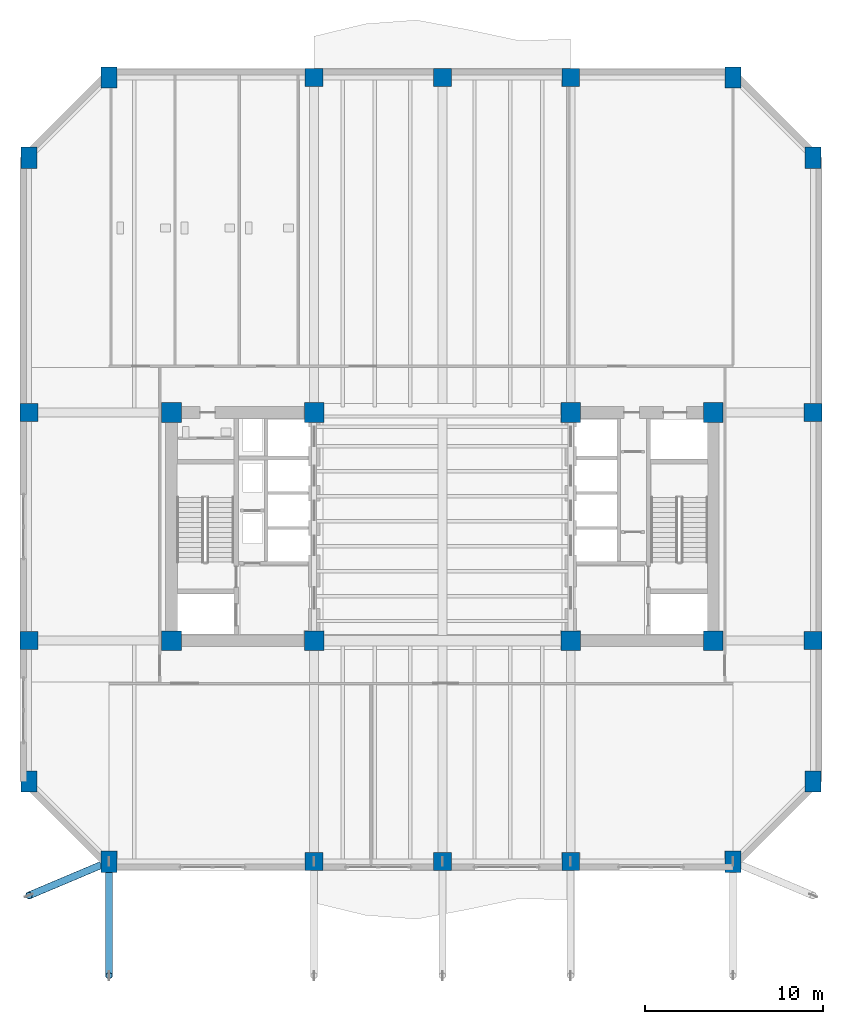
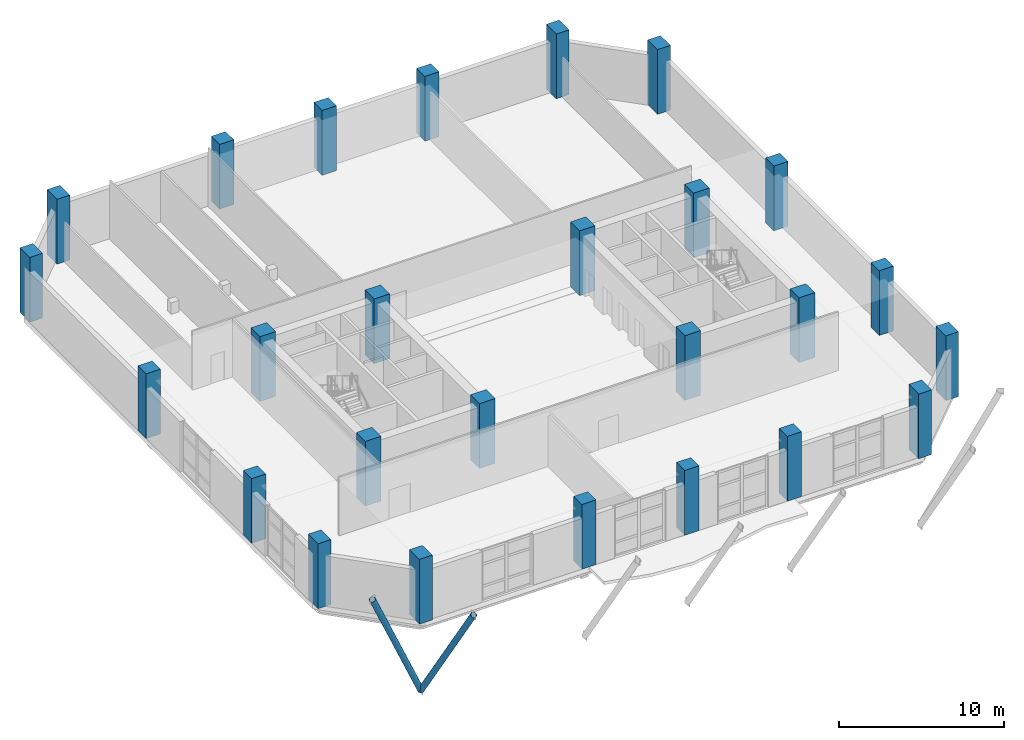
# One storey, part 1 of 16: 26 columns, 2 members.
"""IFC4 building model written with IfcOpenShell, lengths in metres."""

from ifc_helpers import new_model, si_unit, direction, frame, origin, origin_2d, place, context, subcontext, project, spatial, rectangle, hollow_circle, extrude, material, material_profile, profile_set, type_object, element, save


model = new_model("IFC4")

# Units and contexts
model_context = context("Model", 3, precision=1e-05, world=origin(), true_north=direction((0.0, 1.0)))
body_context = subcontext(model_context, "Body", "Model", "MODEL_VIEW")
ifc_project = project(units=[si_unit("LENGTHUNIT", "METRE"), si_unit("AREAUNIT", "SQUARE_METRE"), si_unit("VOLUMEUNIT", "CUBIC_METRE"), si_unit("PLANEANGLEUNIT", "RADIAN"), si_unit("MASSUNIT", "GRAM", prefix="KILO")], contexts=[model_context])

# Site, building, storey
site_placement = place(None, origin())
site = spatial("IfcSite", under=ifc_project, at=site_placement, CompositionType="ELEMENT")
building_placement = place(site_placement, origin())
building = spatial("IfcBuilding", under=site, at=building_placement, Name="Kranthara Brick Stack", CompositionType="ELEMENT")
storey_placement = place(building_placement, frame((0.0, 0.0, 115.5)))
storey = spatial("IfcBuildingStorey", under=building, at=storey_placement, Name="L28", CompositionType="ELEMENT", Elevation=115.5)

# Columns
ifc_material_1 = material(Name="Concrete C70/85", Category="concrete")
ifc_material_profile_1 = material_profile(ifc_material_1, rectangle(XDim=0.89990234375, YDim=1.199951171875, at=origin_2d()), Name="RC 900x1200")
ifc_profile_set_1 = profile_set([ifc_material_profile_1], Name="Concrete C70/85")
column_type_1 = type_object("IfcColumnType", Name="COL-CHAM-900x1200", PredefinedType="COLUMN", material=ifc_profile_set_1)
for number, where, z_axis, x_axis, name in (
    (1, (9.300048828125, 8.39990234375, 0.0), (0.0, 0.0, 1.0), (1.0, 0.0, 0.0), "L28 Column 09"),
    (2, (9.300048828125, 52.39990234375, 0.0), (0.0, 0.0, 1.0), (1.0, 0.0, 0.0), "L28 Column 10"),
    (3, (44.300048828125, 8.39990234375, 0.0), (0.0, 0.0, 1.0), (1.0, 0.0, 0.0), "L28 Column 17"),
    (4, (44.300048828125, 52.39990234375, 0.0), (0.0, 0.0, 1.0), (1.0, 0.0, 0.0), "L28 Column 18"),
    (5, (4.800048828125, 12.89990234375, 0.0), (0.0, 0.0, 1.0), (1.0, 0.0, 0.0), "L28 Column 19"),
    (6, (48.800048828125, 12.89990234375, 0.0), (0.0, 0.0, 1.0), (1.0, 0.0, 0.0), "L28 Column 20"),
    (7, (4.800048828125, 47.89990234375, 0.0), (0.0, 0.0, 1.0), (1.0, 0.0, 0.0), "L28 Column 25"),
    (8, (48.800048828125, 47.89990234375, 0.0), (0.0, 0.0, 1.0), (1.0, 0.0, 0.0), "L28 Column 26"),
):
    element("IfcColumn", number, at=place(storey_placement, frame(where, z_axis=z_axis, x_axis=x_axis)), inside=storey, type_object=column_type_1, Name=name, PredefinedType="COLUMN", context=body_context, shape_type="SweptSolid", body=[
        extrude(rectangle(XDim=0.89990234375, YDim=1.199951171875, at=origin_2d()), origin(), (0.0, 0.0, 1.0), 4.800048828125),
    ])
ifc_material_2 = material(Name="Concrete C70/85", Category="concrete")
ifc_material_profile_2 = material_profile(ifc_material_2, rectangle(XDim=1.10009765625, YDim=1.10009765625, at=origin_2d()), Name="RC 1100x1100")
ifc_profile_set_2 = profile_set([ifc_material_profile_2], Name="Concrete C70/85")
column_type_2 = type_object("IfcColumnType", Name="COL-CORE-1100", PredefinedType="COLUMN", material=ifc_profile_set_2)
for number, where, z_axis, x_axis, name in (
    (9, (12.800048828125, 20.800048828125, 0.0), (0.0, 0.0, 1.0), (1.0, 0.0, 0.0), "L28 Column 01"),
    (10, (20.800048828125, 20.800048828125, 0.0), (0.0, 0.0, 1.0), (1.0, 0.0, 0.0), "L28 Column 02"),
    (11, (12.800048828125, 33.60009765625, 0.0), (0.0, 0.0, 1.0), (1.0, 0.0, 0.0), "L28 Column 03"),
    (12, (20.800048828125, 33.60009765625, 0.0), (0.0, 0.0, 1.0), (1.0, 0.0, 0.0), "L28 Column 04"),
    (13, (35.199951171875, 20.800048828125, 0.0), (0.0, 0.0, 1.0), (1.0, 0.0, 0.0), "L28 Column 05"),
    (14, (43.199951171875, 20.800048828125, 0.0), (0.0, 0.0, 1.0), (1.0, 0.0, 0.0), "L28 Column 06"),
    (15, (35.199951171875, 33.60009765625, 0.0), (0.0, 0.0, 1.0), (1.0, 0.0, 0.0), "L28 Column 07"),
    (16, (43.199951171875, 33.60009765625, 0.0), (0.0, 0.0, 1.0), (1.0, 0.0, 0.0), "L28 Column 08"),
):
    element("IfcColumn", number, at=place(storey_placement, frame(where, z_axis=z_axis, x_axis=x_axis)), inside=storey, type_object=column_type_2, Name=name, PredefinedType="COLUMN", context=body_context, shape_type="SweptSolid", body=[
        extrude(rectangle(XDim=1.10009765625, YDim=1.10009765625, at=origin_2d()), origin(), (0.0, 0.0, 1.0), 4.800048828125),
    ])
ifc_material_3 = material(Name="Concrete C60/75", Category="concrete")
ifc_material_profile_3 = material_profile(ifc_material_3, rectangle(XDim=1.0, YDim=1.0, at=origin_2d()), Name="RC 1000x1000")
ifc_profile_set_3 = profile_set([ifc_material_profile_3], Name="Concrete C60/75")
column_type_3 = type_object("IfcColumnType", Name="COL-PER-1000", PredefinedType="COLUMN", material=ifc_profile_set_3)
for number, where, z_axis, x_axis, name in (
    (17, (20.800048828125, 8.39990234375, 0.0), (0.0, 0.0, 1.0), (1.0, 0.0, 0.0), "L28 Column 11"),
    (18, (20.800048828125, 52.39990234375, 0.0), (0.0, 0.0, 1.0), (1.0, 0.0, 0.0), "L28 Column 12"),
    (19, (28.0, 8.39990234375, 0.0), (0.0, 0.0, 1.0), (1.0, 0.0, 0.0), "L28 Column 13"),
    (20, (28.0, 52.39990234375, 0.0), (0.0, 0.0, 1.0), (1.0, 0.0, 0.0), "L28 Column 14"),
    (21, (35.199951171875, 8.39990234375, 0.0), (0.0, 0.0, 1.0), (1.0, 0.0, 0.0), "L28 Column 15"),
    (22, (35.199951171875, 52.39990234375, 0.0), (0.0, 0.0, 1.0), (1.0, 0.0, 0.0), "L28 Column 16"),
    (23, (4.800048828125, 20.800048828125, 0.0), (0.0, 0.0, 1.0), (1.0, 0.0, 0.0), "L28 Column 21"),
    (24, (48.800048828125, 20.800048828125, 0.0), (0.0, 0.0, 1.0), (1.0, 0.0, 0.0), "L28 Column 22"),
    (25, (4.800048828125, 33.60009765625, 0.0), (0.0, 0.0, 1.0), (1.0, 0.0, 0.0), "L28 Column 23"),
    (26, (48.800048828125, 33.60009765625, 0.0), (0.0, 0.0, 1.0), (1.0, 0.0, 0.0), "L28 Column 24"),
):
    element("IfcColumn", number, at=place(storey_placement, frame(where, z_axis=z_axis, x_axis=x_axis)), inside=storey, type_object=column_type_3, Name=name, PredefinedType="COLUMN", context=body_context, shape_type="SweptSolid", body=[
        extrude(rectangle(XDim=1.0, YDim=1.0, at=origin_2d()), origin(), (0.0, 0.0, 1.0), 4.800048828125),
    ])

# Members
ifc_material_4 = material(Name="Steel S460", Category="steel")
ifc_material_profile_4 = material_profile(ifc_material_4, hollow_circle(Radius=0.203125, WallThickness=0.02001953125, at=origin_2d()), Name="CHS 406.4x20")
ifc_profile_set_4 = profile_set([ifc_material_profile_4], Name="Steel S460")
member_type = type_object("IfcMemberType", Name="MB-STR-CHS406", PredefinedType="STRUT", material=ifc_profile_set_4)
member_1_placement = place(storey_placement, frame((9.300048828125, 8.39990234375, -5.39990234375), z_axis=(0.0, -0.560747395147, 0.827986931561), x_axis=(1.0, 0.0, 0.0)))
element("IfcMember", 27, at=member_1_placement, inside=storey, type_object=member_type, Name="L29 Jenga Raked Transfer Strut 20", PredefinedType="STRUT", context=body_context, shape_type="SweptSolid", body=[
    extrude(hollow_circle(Radius=0.203125, WallThickness=0.02001953125, at=origin_2d()), origin(), (0.0, 0.0, 1.0), 11.4130859375),
])
member_2_placement = place(storey_placement, frame((9.300048828125, 8.39990234375, -5.39990234375), z_axis=(-0.423022755682, -0.178600427773, 0.888343196841), x_axis=(0.388955069282, -0.921256725392, 0.0)))
element("IfcMember", 28, at=member_2_placement, inside=storey, type_object=member_type, Name="L29 Jenga Raked Transfer Strut 25", PredefinedType="STRUT", context=body_context, shape_type="SweptSolid", body=[
    extrude(hollow_circle(Radius=0.203125, WallThickness=0.02001953125, at=origin_2d()), origin(), (0.0, 0.0, 1.0), 10.6376953125),
])

save(model, "model.ifc")
